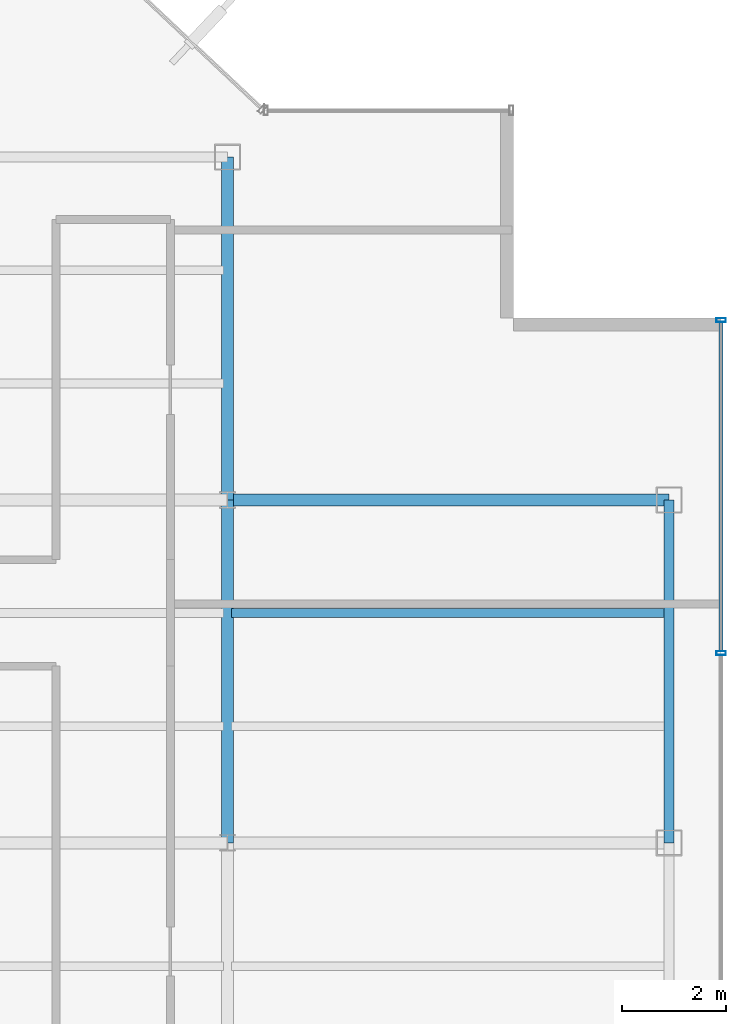
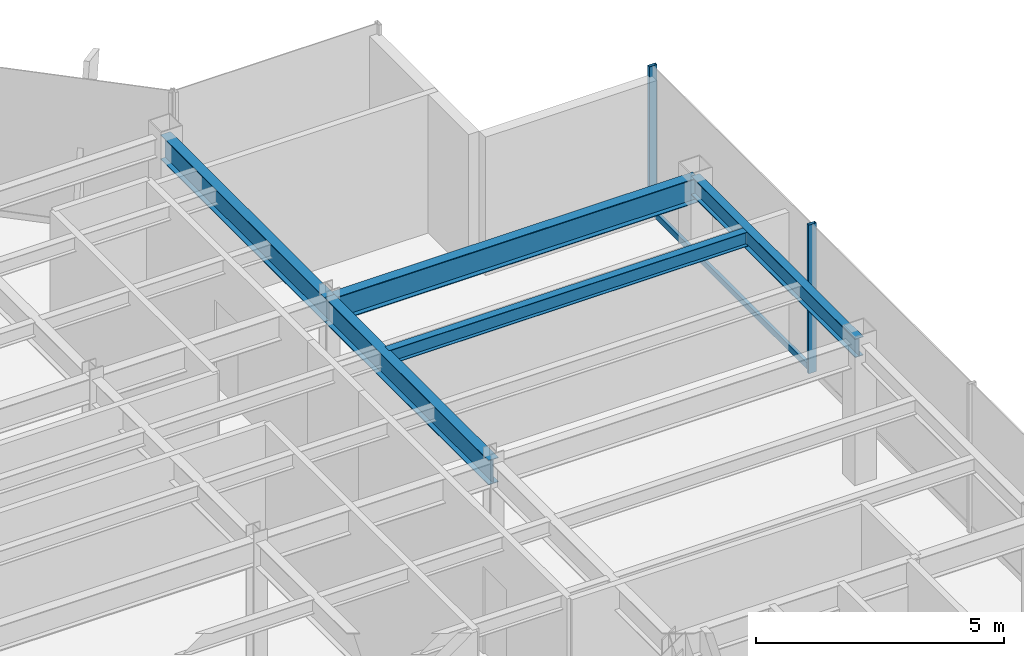
# One storey, part 11 of 22: 5 beams, 3 members, 1 element without a shape of its own.
"""IFC4 building model written with IfcOpenShell, lengths in metres."""

from ifc_helpers import new_model, si_unit, derived_unit, direction, frame, origin, origin_2d, place, context, subcontext, project, spatial, hollow_rectangle, i_section, extrude, source, transform, mapped, material, material_profile, profile_set, type_object, element, aggregate, save


model = new_model("IFC4")

# Units and contexts
model_context = context("Model", 3, precision=1e-05, world=origin(), true_north=direction((0.0, 1.0)))
body_context = subcontext(model_context, "Body", "Model", "MODEL_VIEW")
ifc_project = project(units=[si_unit("LENGTHUNIT", "METRE"), si_unit("AREAUNIT", "SQUARE_METRE"), si_unit("VOLUMEUNIT", "CUBIC_METRE"), si_unit("PLANEANGLEUNIT", "RADIAN"), si_unit("MASSUNIT", "GRAM", prefix="KILO"), derived_unit("THERMALTRANSMITTANCEUNIT", [(si_unit("POWERUNIT", "WATT"), 1), (si_unit("LENGTHUNIT", "METRE"), -2), (si_unit("THERMODYNAMICTEMPERATUREUNIT", "KELVIN"), -1)])], contexts=[model_context])

# Site, building, storey
site_placement = place(None, origin())
site = spatial("IfcSite", under=ifc_project, at=site_placement, CompositionType="ELEMENT")
building_placement = place(site_placement, origin())
building = spatial("IfcBuilding", under=site, at=building_placement, Name="Skarnbrae Concourse Arena and Tower", CompositionType="ELEMENT")
storey_placement = place(building_placement, frame((0.0, 0.0, 221.449951171875)))
storey = spatial("IfcBuildingStorey", under=building, at=storey_placement, Name="L57", CompositionType="ELEMENT", Elevation=221.449951171875)

# Beams
ifc_material_1 = material(Name="Steel CSA G40.21 350W", Category="steel")
ifc_material_profile_1 = material_profile(ifc_material_1, i_section(OverallWidth=0.22802734375, OverallDepth=0.60791015625, WebThickness=0.01123046875, FlangeThickness=0.017333984375, at=origin_2d()), Name="W610X113")
ifc_profile_set_1 = profile_set([ifc_material_profile_1], Name="Steel CSA G40.21 350W")
beam_type_1 = type_object("IfcBeamType", Name="BM-GIRD-W610X113", PredefinedType="BEAM", material=ifc_profile_set_1)
shared_shape_1 = source(origin(), body_context, "Body", "SweptSolid", [
    extrude(i_section(OverallWidth=0.22802734375, OverallDepth=0.60791015625, WebThickness=0.01123046875, FlangeThickness=0.017333984375, at=origin_2d()), origin(), (0.0, 0.0, 1.0), 6.60009765625),
])
beam_1_placement = place(storey_placement, frame((33.5, 21.199951171875, 3.095947265625), z_axis=(0.0, 1.0, 0.0), x_axis=(-1.0, 0.0, 0.0)))
element("IfcBeam", 1, at=beam_1_placement, inside=storey, type_object=beam_type_1, Name="L57 Primary N-S girder X33.5-2", PredefinedType="BEAM", context=body_context, shape_type="MappedRepresentation", body=[
    mapped(shared_shape_1, transform((0.0, 0.0, 0.0))),
])
shared_shape_2 = source(origin(), body_context, "Body", "SweptSolid", [
    extrude(i_section(OverallWidth=0.22802734375, OverallDepth=0.60791015625, WebThickness=0.01123046875, FlangeThickness=0.017333984375, at=origin_2d()), origin(), (0.0, 0.0, 1.0), 8.5),
])
beam_2_placement = place(storey_placement, frame((33.5, 27.800048828125, 3.095947265625), z_axis=(1.0, 0.0, 0.0), x_axis=(0.0, 1.0, 0.0)))
element("IfcBeam", 2, at=beam_2_placement, inside=storey, type_object=beam_type_1, Name="L57 Primary E-W girder Y27.8-6", PredefinedType="BEAM", context=body_context, shape_type="MappedRepresentation", body=[
    mapped(shared_shape_2, transform((0.0, 0.0, 0.0))),
])
ifc_material_profile_2 = material_profile(ifc_material_1, i_section(OverallWidth=0.19091796875, OverallDepth=0.4599609375, WebThickness=0.010009765625, FlangeThickness=0.01611328125, at=origin_2d()), Name="W460X82")
ifc_profile_set_2 = profile_set([ifc_material_profile_2], Name="Steel CSA G40.21 350W")
beam_type_2 = type_object("IfcBeamType", Name="BM-SPAN-W460X82", PredefinedType="SPANDREL", material=ifc_profile_set_2)
shared_shape_3 = source(origin(), body_context, "Body", "SweptSolid", [
    extrude(i_section(OverallWidth=0.19091796875, OverallDepth=0.4599609375, WebThickness=0.010009765625, FlangeThickness=0.01611328125, at=origin_2d()), origin(), (0.0, 0.0, 1.0), 6.60009765625),
])
beam_3_placement = place(storey_placement, frame((42.0, 21.199951171875, 3.170166015625), z_axis=(0.0, 1.0, 0.0), x_axis=(-1.0, 0.0, 0.0)))
element("IfcBeam", 3, at=beam_3_placement, inside=storey, type_object=beam_type_2, Name="L57 Perimeter spandrel X42.0-3", PredefinedType="SPANDREL", context=body_context, shape_type="MappedRepresentation", body=[
    mapped(shared_shape_3, transform((0.0, 0.0, 0.0))),
])
shared_shape_4 = source(origin(), body_context, "Body", "SweptSolid", [
    extrude(i_section(OverallWidth=0.22802734375, OverallDepth=0.60791015625, WebThickness=0.01123046875, FlangeThickness=0.017333984375, at=origin_2d()), origin(), (0.0, 0.0, 1.0), 6.599853515625),
])
beam_4_placement = place(storey_placement, frame((33.5, 27.800048828125, 3.095947265625), z_axis=(0.0, 1.0, 0.0), x_axis=(-1.0, 0.0, 0.0)))
element("IfcBeam", 4, at=beam_4_placement, inside=storey, type_object=beam_type_1, Name="L57 Primary N-S girder X33.5-3", PredefinedType="BEAM", context=body_context, shape_type="MappedRepresentation", body=[
    mapped(shared_shape_4, transform((0.0, 0.0, 0.0))),
])
ifc_material_profile_3 = material_profile(ifc_material_1, i_section(OverallWidth=0.1708984375, OverallDepth=0.35498046875, WebThickness=0.007080078125, FlangeThickness=0.01171875, at=origin_2d()), Name="W360X51")
ifc_profile_set_3 = profile_set([ifc_material_profile_3], Name="Steel CSA G40.21 350W")
beam_type_3 = type_object("IfcBeamType", Name="BM-JOIST-W360X51", PredefinedType="JOIST", material=ifc_profile_set_3)
shared_shape_5 = source(origin(), body_context, "Body", "SweptSolid", [
    extrude(i_section(OverallWidth=0.1708984375, OverallDepth=0.35498046875, WebThickness=0.007080078125, FlangeThickness=0.01171875, at=origin_2d()), origin(), (0.0, 0.0, 1.0), 8.33984375),
])
beam_5_placement = place(storey_placement, frame((33.580078125, 25.6220703125, 3.22265625), z_axis=(1.0, 0.0, 0.0), x_axis=(0.0, 1.0, 0.0)))
element("IfcBeam", 5, at=beam_5_placement, inside=storey, type_object=beam_type_3, Name="L57 Secondary floor joist 2.2.6", PredefinedType="JOIST", context=body_context, shape_type="MappedRepresentation", body=[
    mapped(shared_shape_5, transform((0.0, 0.0, 0.0))),
])

# Curtain wall, members
ifc_material_2 = material(Name="Bronze anodised aluminium 6063-T6", Category="aluminium")
curtain_wall_type = type_object("IfcCurtainWallType", Name="CW-SYS-05-HIGHZONE", PredefinedType="USERDEFINED", material=ifc_material_2)
curtain_wall_placement = place(storey_placement, origin())
curtain_wall = element("IfcCurtainWall", 6, at=curtain_wall_placement, inside=storey, type_object=curtain_wall_type, Name="L57 Unitised curtain wall CW-L57-E04", ObjectType="UNITISED CURTAIN WALL", PredefinedType="USERDEFINED")
ifc_material_profile_4 = material_profile(ifc_material_2, hollow_rectangle(XDim=0.074951171875, YDim=0.14990234375, WallThickness=0.00390625, at=origin_2d()), Name="ALU-TRAN-75X150")
ifc_profile_set_4 = profile_set([ifc_material_profile_4], Name="Bronze anodised aluminium 6063-T6")
member_type_1 = type_object("IfcMemberType", Name="CWT-CW-05", PredefinedType="USERDEFINED", material=ifc_profile_set_4)
shared_shape_6 = source(origin(), body_context, "Body", "SweptSolid", [
    extrude(hollow_rectangle(XDim=0.074951171875, YDim=0.14990234375, WallThickness=0.00390625, at=origin_2d()), origin(), (0.0, 0.0, 1.0), 6.337646484375),
])
member_1_placement = place(storey_placement, frame((43.0, 24.887451171875, 0.074951171875), z_axis=(0.0, 1.0, 0.0), x_axis=(-1.0, 0.0, 0.0)))
member_1 = element("IfcMember", 7, at=member_1_placement, type_object=member_type_1, Name="CW-L57-E04 Transom 4", ObjectType="TRANSOM", PredefinedType="USERDEFINED", context=body_context, shape_type="MappedRepresentation", body=[
    mapped(shared_shape_6, transform((0.0, 0.0, 0.0))),
])
ifc_material_profile_5 = material_profile(ifc_material_2, hollow_rectangle(XDim=0.074951171875, YDim=0.179931640625, WallThickness=0.00390625, at=origin_2d()), Name="ALU-MULL-75X180")
ifc_profile_set_5 = profile_set([ifc_material_profile_5], Name="Bronze anodised aluminium 6063-T6")
member_type_2 = type_object("IfcMemberType", Name="CWM-CW-05", PredefinedType="MULLION", material=ifc_profile_set_5)
shared_shape_7 = source(origin(), body_context, "Body", "SweptSolid", [
    extrude(hollow_rectangle(XDim=0.074951171875, YDim=0.179931640625, WallThickness=0.00390625, at=origin_2d()), origin(), (0.0, 0.0, 1.0), 3.650146484375),
])
member_2_placement = place(storey_placement, frame((43.0, 24.85009765625, 0.0), z_axis=(0.0, 0.0, 1.0), x_axis=(0.0, 1.0, 0.0)))
member_2 = element("IfcMember", 8, at=member_2_placement, type_object=member_type_2, Name="CW-L57-E04 Mullion 4", PredefinedType="MULLION", context=body_context, shape_type="MappedRepresentation", body=[
    mapped(shared_shape_7, transform((0.0, 0.0, 0.0))),
])
member_3_placement = place(storey_placement, frame((43.0, 31.262451171875, 0.0), z_axis=(0.0, 0.0, 1.0), x_axis=(0.0, 1.0, 0.0)))
member_3 = element("IfcMember", 9, at=member_3_placement, type_object=member_type_2, Name="CW-L57-E04 Mullion 5", PredefinedType="MULLION", context=body_context, shape_type="MappedRepresentation", body=[
    mapped(shared_shape_7, transform((0.0, 0.0, 0.0))),
])
aggregate(curtain_wall, [member_2, member_3, member_1])

save(model, "model.ifc")
